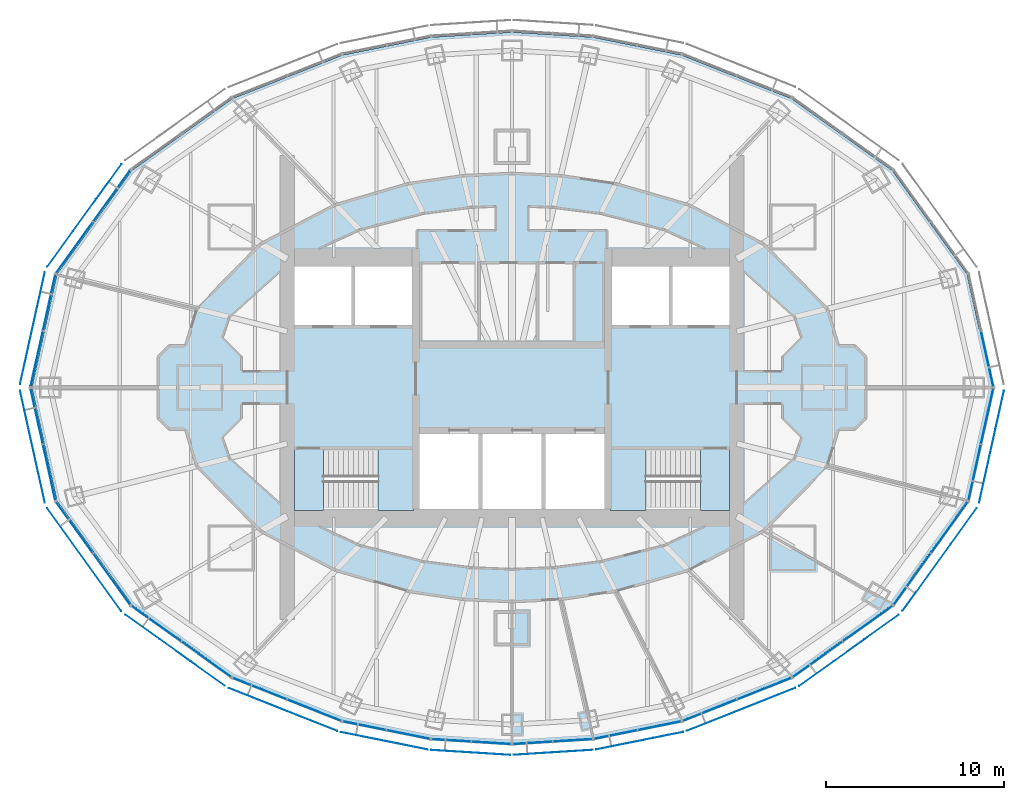
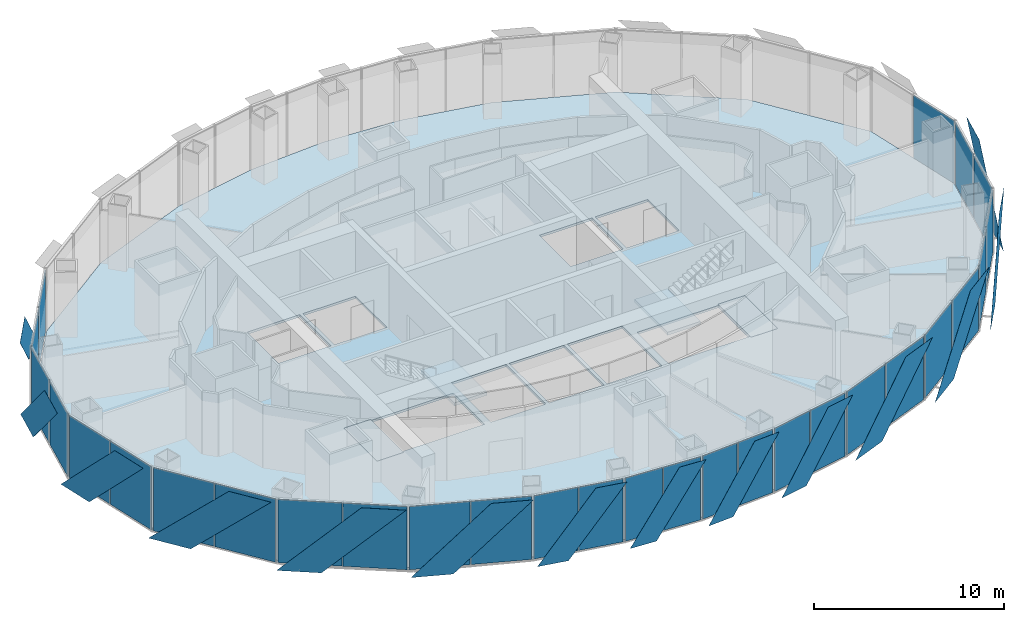
# One storey, part 10 of 17: 43 plates, 5 slabs, 17 elements without a shape of their own.
"""IFC4 building model written with IfcOpenShell, lengths in metres."""

from ifc_helpers import new_model, si_unit, direction, frame, origin, origin_2d, place, context, subcontext, project, spatial, polyline, rectangle, outline, extrude, material, layer, layer_set, type_object, element, aggregate, save


model = new_model("IFC4")

# Units and contexts
model_context = context("Model", 3, precision=1e-05, world=origin(), true_north=direction((0.0, 1.0)))
body_context = subcontext(model_context, "Body", "Model", "MODEL_VIEW")
ifc_project = project(units=[si_unit("LENGTHUNIT", "METRE"), si_unit("AREAUNIT", "SQUARE_METRE"), si_unit("VOLUMEUNIT", "CUBIC_METRE"), si_unit("PLANEANGLEUNIT", "RADIAN"), si_unit("MASSUNIT", "GRAM", prefix="KILO")], contexts=[model_context])

# Site, building, storey
site_placement = place(None, origin())
site = spatial("IfcSite", under=ifc_project, at=site_placement, CompositionType="ELEMENT")
building_placement = place(site_placement, origin())
building = spatial("IfcBuilding", under=site, at=building_placement, Name="Lantaw Convention Tower", CompositionType="ELEMENT")
storey_placement = place(building_placement, frame((0.0, 0.0, 220.0)))
storey = spatial("IfcBuildingStorey", under=building, at=storey_placement, Name="L51", CompositionType="ELEMENT", Elevation=220.0)

# Curtain wall, plate
ifc_material_1 = material(Name="Aluminium framed curtain wall", Category="aluminium")
curtain_wall_type = type_object("IfcCurtainWallType", Name="Office curtain wall high rise, pale aluminium", PredefinedType="USERDEFINED", material=ifc_material_1)
curtain_wall_1_placement = place(storey_placement, origin())
curtain_wall_1 = element("IfcCurtainWall", 1, at=curtain_wall_1_placement, inside=storey, type_object=curtain_wall_type, Name="Office curtain wall high rise, pale aluminium L51", ObjectType="UNITISED CURTAIN WALL", PredefinedType="USERDEFINED")
ifc_material_2 = material(Name="Clear insulating glass", Category="glass")
ifc_layer_1 = layer(ifc_material_2, 0.028076171875)
ifc_layer_set_1 = layer_set([ifc_layer_1], Name="CW-O2 panel 28")
plate_type_1 = type_object("IfcPlateType", Name="CW-O2 panel 28", PredefinedType="CURTAIN_PANEL", material=ifc_layer_set_1)
plate_1_placement = place(storey_placement, frame((26.643798828125, 1.61083984375, -0.0849609375), z_axis=(0.0, 0.0, 1.0), x_axis=(-0.215891333626, 0.976417396437, 0.0)))
plate_1 = element("IfcPlate", 2, at=plate_1_placement, type_object=plate_type_1, Name="CW-O2 panel 1.1", PredefinedType="CURTAIN_PANEL", context=body_context, shape_type="SweptSolid", body=[
    extrude(rectangle(XDim=3.169677734375, YDim=0.028076171875, at=origin_2d()), origin(), (0.0, 0.0, 1.0), 4.070068359375),
])
aggregate(curtain_wall_1, [plate_1])

# Curtain wall, plates
curtain_wall_2_placement = place(storey_placement, origin())
curtain_wall_2 = element("IfcCurtainWall", 3, at=curtain_wall_2_placement, inside=storey, type_object=curtain_wall_type, Name="Office curtain wall high rise, pale aluminium L51", ObjectType="UNITISED CURTAIN WALL", PredefinedType="USERDEFINED")
plate_2_placement = place(storey_placement, frame((-22.4404296875, 10.743896484375, -0.0849609375), z_axis=(0.0, 0.0, 1.0), x_axis=(-0.585157643865, -0.810919559405, 0.0)))
plate_2 = element("IfcPlate", 4, at=plate_2_placement, type_object=plate_type_1, Name="CW-O2 panel 1.1", PredefinedType="CURTAIN_PANEL", context=body_context, shape_type="SweptSolid", body=[
    extrude(rectangle(XDim=3.500732421875, YDim=0.028076171875, at=origin_2d()), origin(), (0.0, 0.0, 1.0), 4.070068359375),
])
plate_3_placement = place(storey_placement, frame((-24.527099609375, 7.852294921875, -0.0849609375), z_axis=(0.0, 0.0, 1.0), x_axis=(-0.585157643865, -0.810919559405, 0.0)))
plate_3 = element("IfcPlate", 5, at=plate_3_placement, type_object=plate_type_1, Name="CW-O2 panel 2.1", PredefinedType="CURTAIN_PANEL", context=body_context, shape_type="SweptSolid", body=[
    extrude(rectangle(XDim=3.500732421875, YDim=0.028076171875, at=origin_2d()), origin(), (0.0, 0.0, 1.0), 4.070068359375),
])
aggregate(curtain_wall_2, [plate_2, plate_3])

curtain_wall_3_placement = place(storey_placement, origin())
curtain_wall_3 = element("IfcCurtainWall", 6, at=curtain_wall_3_placement, inside=storey, type_object=curtain_wall_type, Name="Office curtain wall high rise, pale aluminium L51", ObjectType="UNITISED CURTAIN WALL", PredefinedType="USERDEFINED")
plate_4_placement = place(storey_placement, frame((-25.945556640625, 4.769287109375, -0.0849609375), z_axis=(0.0, 0.0, 1.0), x_axis=(-0.215891333626, -0.976417396437, 0.0)))
plate_4 = element("IfcPlate", 7, at=plate_4_placement, type_object=plate_type_1, Name="CW-O2 panel 1.1", PredefinedType="CURTAIN_PANEL", context=body_context, shape_type="SweptSolid", body=[
    extrude(rectangle(XDim=3.169677734375, YDim=0.028076171875, at=origin_2d()), origin(), (0.0, 0.0, 1.0), 4.070068359375),
])
plate_5_placement = place(storey_placement, frame((-26.643798828125, 1.61083984375, -0.0849609375), z_axis=(0.0, 0.0, 1.0), x_axis=(-0.215891333626, -0.976417396437, 0.0)))
plate_5 = element("IfcPlate", 8, at=plate_5_placement, type_object=plate_type_1, Name="CW-O2 panel 2.1", PredefinedType="CURTAIN_PANEL", context=body_context, shape_type="SweptSolid", body=[
    extrude(rectangle(XDim=3.169677734375, YDim=0.028076171875, at=origin_2d()), origin(), (0.0, 0.0, 1.0), 4.070068359375),
])
aggregate(curtain_wall_3, [plate_4, plate_5])

curtain_wall_4_placement = place(storey_placement, origin())
curtain_wall_4 = element("IfcCurtainWall", 9, at=curtain_wall_4_placement, inside=storey, type_object=curtain_wall_type, Name="Office curtain wall high rise, pale aluminium L51", ObjectType="UNITISED CURTAIN WALL", PredefinedType="USERDEFINED")
plate_6_placement = place(storey_placement, frame((-26.643798828125, -1.61083984375, -0.0849609375), z_axis=(0.0, 0.0, 1.0), x_axis=(0.215891333626, -0.976417396437, 0.0)))
plate_6 = element("IfcPlate", 10, at=plate_6_placement, type_object=plate_type_1, Name="CW-O2 panel 1.1", PredefinedType="CURTAIN_PANEL", context=body_context, shape_type="SweptSolid", body=[
    extrude(rectangle(XDim=3.169677734375, YDim=0.028076171875, at=origin_2d()), origin(), (0.0, 0.0, 1.0), 4.070068359375),
])
plate_7_placement = place(storey_placement, frame((-25.945556640625, -4.769287109375, -0.0849609375), z_axis=(0.0, 0.0, 1.0), x_axis=(0.215891333626, -0.976417396437, 0.0)))
plate_7 = element("IfcPlate", 11, at=plate_7_placement, type_object=plate_type_1, Name="CW-O2 panel 2.1", PredefinedType="CURTAIN_PANEL", context=body_context, shape_type="SweptSolid", body=[
    extrude(rectangle(XDim=3.169677734375, YDim=0.028076171875, at=origin_2d()), origin(), (0.0, 0.0, 1.0), 4.070068359375),
])
aggregate(curtain_wall_4, [plate_6, plate_7])

curtain_wall_5_placement = place(storey_placement, origin())
curtain_wall_5 = element("IfcCurtainWall", 12, at=curtain_wall_5_placement, inside=storey, type_object=curtain_wall_type, Name="Office curtain wall high rise, pale aluminium L51", ObjectType="UNITISED CURTAIN WALL", PredefinedType="USERDEFINED")
plate_8_placement = place(storey_placement, frame((-24.527099609375, -7.852294921875, -0.0849609375), z_axis=(0.0, 0.0, 1.0), x_axis=(0.585157643865, -0.810919559405, 0.0)))
plate_8 = element("IfcPlate", 13, at=plate_8_placement, type_object=plate_type_1, Name="CW-O2 panel 1.1", PredefinedType="CURTAIN_PANEL", context=body_context, shape_type="SweptSolid", body=[
    extrude(rectangle(XDim=3.500732421875, YDim=0.028076171875, at=origin_2d()), origin(), (0.0, 0.0, 1.0), 4.070068359375),
])
plate_9_placement = place(storey_placement, frame((-22.4404296875, -10.743896484375, -0.0849609375), z_axis=(0.0, 0.0, 1.0), x_axis=(0.585157643865, -0.810919559405, 0.0)))
plate_9 = element("IfcPlate", 14, at=plate_9_placement, type_object=plate_type_1, Name="CW-O2 panel 2.1", PredefinedType="CURTAIN_PANEL", context=body_context, shape_type="SweptSolid", body=[
    extrude(rectangle(XDim=3.500732421875, YDim=0.028076171875, at=origin_2d()), origin(), (0.0, 0.0, 1.0), 4.070068359375),
])
aggregate(curtain_wall_5, [plate_8, plate_9])

curtain_wall_6_placement = place(storey_placement, origin())
curtain_wall_6 = element("IfcCurtainWall", 15, at=curtain_wall_6_placement, inside=storey, type_object=curtain_wall_type, Name="Office curtain wall high rise, pale aluminium L51", ObjectType="UNITISED CURTAIN WALL", PredefinedType="USERDEFINED")
plate_10_placement = place(storey_placement, frame((-19.947509765625, -13.23828125, -0.0849609375), z_axis=(0.0, 0.0, 1.0), x_axis=(0.813672540482, -0.581323487281, 0.0)))
plate_10 = element("IfcPlate", 16, at=plate_10_placement, type_object=plate_type_1, Name="CW-O2 panel 1.1", PredefinedType="CURTAIN_PANEL", context=body_context, shape_type="SweptSolid", body=[
    extrude(rectangle(XDim=3.386474609375, YDim=0.028076171875, at=origin_2d()), origin(), (0.0, 0.0, 1.0), 4.070068359375),
])
plate_11_placement = place(storey_placement, frame((-17.13916015625, -15.24462890625, -0.0849609375), z_axis=(0.0, 0.0, 1.0), x_axis=(0.813672540482, -0.581323487281, 0.0)))
plate_11 = element("IfcPlate", 17, at=plate_11_placement, type_object=plate_type_1, Name="CW-O2 panel 2.1", PredefinedType="CURTAIN_PANEL", context=body_context, shape_type="SweptSolid", body=[
    extrude(rectangle(XDim=3.386474609375, YDim=0.028076171875, at=origin_2d()), origin(), (0.0, 0.0, 1.0), 4.070068359375),
])
aggregate(curtain_wall_6, [plate_10, plate_11])

curtain_wall_7_placement = place(storey_placement, origin())
curtain_wall_7 = element("IfcCurtainWall", 18, at=curtain_wall_7_placement, inside=storey, type_object=curtain_wall_type, Name="Office curtain wall high rise, pale aluminium L51", ObjectType="UNITISED CURTAIN WALL", PredefinedType="USERDEFINED")
plate_12_placement = place(storey_placement, frame((-14.14990234375, -16.8837890625, -0.0849609375), z_axis=(0.0, 0.0, 1.0), x_axis=(0.929761533743, -0.368162315252, 0.0)))
plate_12 = element("IfcPlate", 19, at=plate_12_placement, type_object=plate_type_1, Name="CW-O2 panel 1.1", PredefinedType="CURTAIN_PANEL", context=body_context, shape_type="SweptSolid", body=[
    extrude(rectangle(XDim=3.222900390625, YDim=0.028076171875, at=origin_2d()), origin(), (0.0, 0.0, 1.0), 4.070068359375),
])
plate_13_placement = place(storey_placement, frame((-11.0927734375, -18.094482421875, -0.0849609375), z_axis=(0.0, 0.0, 1.0), x_axis=(0.929761533743, -0.368162315252, 0.0)))
plate_13 = element("IfcPlate", 20, at=plate_13_placement, type_object=plate_type_1, Name="CW-O2 panel 2.1", PredefinedType="CURTAIN_PANEL", context=body_context, shape_type="SweptSolid", body=[
    extrude(rectangle(XDim=3.222900390625, YDim=0.028076171875, at=origin_2d()), origin(), (0.0, 0.0, 1.0), 4.070068359375),
])
aggregate(curtain_wall_7, [plate_12, plate_13])

curtain_wall_8_placement = place(storey_placement, origin())
curtain_wall_8 = element("IfcCurtainWall", 21, at=curtain_wall_8_placement, inside=storey, type_object=curtain_wall_type, Name="Office curtain wall high rise, pale aluminium L51", ObjectType="UNITISED CURTAIN WALL", PredefinedType="USERDEFINED")
plate_14_placement = place(storey_placement, frame((-8.2724609375, -18.96533203125, -0.0849609375), z_axis=(0.0, 0.0, 1.0), x_axis=(0.980366679695, -0.197183095987, 0.0)))
plate_14 = element("IfcPlate", 22, at=plate_14_placement, type_object=plate_type_1, Name="CW-O2 panel 1.1", PredefinedType="CURTAIN_PANEL", context=body_context, shape_type="SweptSolid", body=[
    extrude(rectangle(XDim=2.44384765625, YDim=0.028076171875, at=origin_2d()), origin(), (0.0, 0.0, 1.0), 4.070068359375),
])
plate_15_placement = place(storey_placement, frame((-5.81298828125, -19.4599609375, -0.0849609375), z_axis=(0.0, 0.0, 1.0), x_axis=(0.980366679695, -0.197183095987, 0.0)))
plate_15 = element("IfcPlate", 23, at=plate_15_placement, type_object=plate_type_1, Name="CW-O2 panel 2.1", PredefinedType="CURTAIN_PANEL", context=body_context, shape_type="SweptSolid", body=[
    extrude(rectangle(XDim=2.44384765625, YDim=0.028076171875, at=origin_2d()), origin(), (0.0, 0.0, 1.0), 4.070068359375),
])
aggregate(curtain_wall_8, [plate_14, plate_15])

curtain_wall_9_placement = place(storey_placement, origin())
curtain_wall_9 = element("IfcCurtainWall", 24, at=curtain_wall_9_placement, inside=storey, type_object=curtain_wall_type, Name="Office curtain wall high rise, pale aluminium L51", ObjectType="UNITISED CURTAIN WALL", PredefinedType="USERDEFINED")
plate_16_placement = place(storey_placement, frame((-3.397216796875, -19.786376953125, -0.0849609375), z_axis=(0.0, 0.0, 1.0), x_axis=(0.998028774865, -0.062757983884, 0.0)))
plate_16 = element("IfcPlate", 25, at=plate_16_placement, type_object=plate_type_1, Name="CW-O2 panel 1.1", PredefinedType="CURTAIN_PANEL", context=body_context, shape_type="SweptSolid", body=[
    extrude(rectangle(XDim=2.1826171875, YDim=0.028076171875, at=origin_2d()), origin(), (0.0, 0.0, 1.0), 4.070068359375),
])
plate_17_placement = place(storey_placement, frame((-1.154052734375, -19.927490234375, -0.0849609375), z_axis=(0.0, 0.0, 1.0), x_axis=(0.998028774865, -0.062757983884, 0.0)))
plate_17 = element("IfcPlate", 26, at=plate_17_placement, type_object=plate_type_1, Name="CW-O2 panel 2.1", PredefinedType="CURTAIN_PANEL", context=body_context, shape_type="SweptSolid", body=[
    extrude(rectangle(XDim=2.1826171875, YDim=0.028076171875, at=origin_2d()), origin(), (0.0, 0.0, 1.0), 4.070068359375),
])
aggregate(curtain_wall_9, [plate_16, plate_17])

curtain_wall_10_placement = place(storey_placement, origin())
curtain_wall_10 = element("IfcCurtainWall", 27, at=curtain_wall_10_placement, inside=storey, type_object=curtain_wall_type, Name="Office curtain wall high rise, pale aluminium L51", ObjectType="UNITISED CURTAIN WALL", PredefinedType="USERDEFINED")
plate_18_placement = place(storey_placement, frame((1.154052734375, -19.927490234375, -0.0849609375), z_axis=(0.0, 0.0, 1.0), x_axis=(0.998028774865, 0.062757983884, 0.0)))
plate_18 = element("IfcPlate", 28, at=plate_18_placement, type_object=plate_type_1, Name="CW-O2 panel 1.1", PredefinedType="CURTAIN_PANEL", context=body_context, shape_type="SweptSolid", body=[
    extrude(rectangle(XDim=2.1826171875, YDim=0.028076171875, at=origin_2d()), origin(), (0.0, 0.0, 1.0), 4.070068359375),
])
plate_19_placement = place(storey_placement, frame((3.397216796875, -19.786376953125, -0.0849609375), z_axis=(0.0, 0.0, 1.0), x_axis=(0.998028774865, 0.062757983884, 0.0)))
plate_19 = element("IfcPlate", 29, at=plate_19_placement, type_object=plate_type_1, Name="CW-O2 panel 2.1", PredefinedType="CURTAIN_PANEL", context=body_context, shape_type="SweptSolid", body=[
    extrude(rectangle(XDim=2.1826171875, YDim=0.028076171875, at=origin_2d()), origin(), (0.0, 0.0, 1.0), 4.070068359375),
])
aggregate(curtain_wall_10, [plate_18, plate_19])

curtain_wall_11_placement = place(storey_placement, origin())
curtain_wall_11 = element("IfcCurtainWall", 30, at=curtain_wall_11_placement, inside=storey, type_object=curtain_wall_type, Name="Office curtain wall high rise, pale aluminium L51", ObjectType="UNITISED CURTAIN WALL", PredefinedType="USERDEFINED")
plate_20_placement = place(storey_placement, frame((5.81298828125, -19.4599609375, -0.0849609375), z_axis=(0.0, 0.0, 1.0), x_axis=(0.980366679695, 0.197183095987, 0.0)))
plate_20 = element("IfcPlate", 31, at=plate_20_placement, type_object=plate_type_1, Name="CW-O2 panel 1.1", PredefinedType="CURTAIN_PANEL", context=body_context, shape_type="SweptSolid", body=[
    extrude(rectangle(XDim=2.44384765625, YDim=0.028076171875, at=origin_2d()), origin(), (0.0, 0.0, 1.0), 4.070068359375),
])
plate_21_placement = place(storey_placement, frame((8.2724609375, -18.96533203125, -0.0849609375), z_axis=(0.0, 0.0, 1.0), x_axis=(0.980366679695, 0.197183095987, 0.0)))
plate_21 = element("IfcPlate", 32, at=plate_21_placement, type_object=plate_type_1, Name="CW-O2 panel 2.1", PredefinedType="CURTAIN_PANEL", context=body_context, shape_type="SweptSolid", body=[
    extrude(rectangle(XDim=2.44384765625, YDim=0.028076171875, at=origin_2d()), origin(), (0.0, 0.0, 1.0), 4.070068359375),
])
aggregate(curtain_wall_11, [plate_20, plate_21])

curtain_wall_12_placement = place(storey_placement, origin())
curtain_wall_12 = element("IfcCurtainWall", 33, at=curtain_wall_12_placement, inside=storey, type_object=curtain_wall_type, Name="Office curtain wall high rise, pale aluminium L51", ObjectType="UNITISED CURTAIN WALL", PredefinedType="USERDEFINED")
plate_22_placement = place(storey_placement, frame((11.0927734375, -18.094482421875, -0.0849609375), z_axis=(0.0, 0.0, 1.0), x_axis=(0.929761533743, 0.368162315252, 0.0)))
plate_22 = element("IfcPlate", 34, at=plate_22_placement, type_object=plate_type_1, Name="CW-O2 panel 1.1", PredefinedType="CURTAIN_PANEL", context=body_context, shape_type="SweptSolid", body=[
    extrude(rectangle(XDim=3.222900390625, YDim=0.028076171875, at=origin_2d()), origin(), (0.0, 0.0, 1.0), 4.070068359375),
])
plate_23_placement = place(storey_placement, frame((14.14990234375, -16.8837890625, -0.0849609375), z_axis=(0.0, 0.0, 1.0), x_axis=(0.929761533743, 0.368162315252, 0.0)))
plate_23 = element("IfcPlate", 35, at=plate_23_placement, type_object=plate_type_1, Name="CW-O2 panel 2.1", PredefinedType="CURTAIN_PANEL", context=body_context, shape_type="SweptSolid", body=[
    extrude(rectangle(XDim=3.222900390625, YDim=0.028076171875, at=origin_2d()), origin(), (0.0, 0.0, 1.0), 4.070068359375),
])
aggregate(curtain_wall_12, [plate_22, plate_23])

curtain_wall_13_placement = place(storey_placement, origin())
curtain_wall_13 = element("IfcCurtainWall", 36, at=curtain_wall_13_placement, inside=storey, type_object=curtain_wall_type, Name="Office curtain wall high rise, pale aluminium L51", ObjectType="UNITISED CURTAIN WALL", PredefinedType="USERDEFINED")
plate_24_placement = place(storey_placement, frame((17.13916015625, -15.24462890625, -0.0849609375), z_axis=(0.0, 0.0, 1.0), x_axis=(0.813672540482, 0.581323487281, 0.0)))
plate_24 = element("IfcPlate", 37, at=plate_24_placement, type_object=plate_type_1, Name="CW-O2 panel 1.1", PredefinedType="CURTAIN_PANEL", context=body_context, shape_type="SweptSolid", body=[
    extrude(rectangle(XDim=3.386474609375, YDim=0.028076171875, at=origin_2d()), origin(), (0.0, 0.0, 1.0), 4.070068359375),
])
plate_25_placement = place(storey_placement, frame((19.947509765625, -13.23828125, -0.0849609375), z_axis=(0.0, 0.0, 1.0), x_axis=(0.813672540482, 0.581323487281, 0.0)))
plate_25 = element("IfcPlate", 38, at=plate_25_placement, type_object=plate_type_1, Name="CW-O2 panel 2.1", PredefinedType="CURTAIN_PANEL", context=body_context, shape_type="SweptSolid", body=[
    extrude(rectangle(XDim=3.386474609375, YDim=0.028076171875, at=origin_2d()), origin(), (0.0, 0.0, 1.0), 4.070068359375),
])
aggregate(curtain_wall_13, [plate_24, plate_25])

curtain_wall_14_placement = place(storey_placement, origin())
curtain_wall_14 = element("IfcCurtainWall", 39, at=curtain_wall_14_placement, inside=storey, type_object=curtain_wall_type, Name="Office curtain wall high rise, pale aluminium L51", ObjectType="UNITISED CURTAIN WALL", PredefinedType="USERDEFINED")
plate_26_placement = place(storey_placement, frame((22.4404296875, -10.743896484375, -0.0849609375), z_axis=(0.0, 0.0, 1.0), x_axis=(0.585157643865, 0.810919559405, 0.0)))
plate_26 = element("IfcPlate", 40, at=plate_26_placement, type_object=plate_type_1, Name="CW-O2 panel 1.1", PredefinedType="CURTAIN_PANEL", context=body_context, shape_type="SweptSolid", body=[
    extrude(rectangle(XDim=3.500732421875, YDim=0.028076171875, at=origin_2d()), origin(), (0.0, 0.0, 1.0), 4.070068359375),
])
plate_27_placement = place(storey_placement, frame((24.527099609375, -7.852294921875, -0.0849609375), z_axis=(0.0, 0.0, 1.0), x_axis=(0.585157643865, 0.810919559405, 0.0)))
plate_27 = element("IfcPlate", 41, at=plate_27_placement, type_object=plate_type_1, Name="CW-O2 panel 2.1", PredefinedType="CURTAIN_PANEL", context=body_context, shape_type="SweptSolid", body=[
    extrude(rectangle(XDim=3.500732421875, YDim=0.028076171875, at=origin_2d()), origin(), (0.0, 0.0, 1.0), 4.070068359375),
])
aggregate(curtain_wall_14, [plate_26, plate_27])

curtain_wall_15_placement = place(storey_placement, origin())
curtain_wall_15 = element("IfcCurtainWall", 42, at=curtain_wall_15_placement, inside=storey, type_object=curtain_wall_type, Name="Office curtain wall high rise, pale aluminium L51", ObjectType="UNITISED CURTAIN WALL", PredefinedType="USERDEFINED")
plate_28_placement = place(storey_placement, frame((25.945556640625, -4.769287109375, -0.0849609375), z_axis=(0.0, 0.0, 1.0), x_axis=(0.215891333626, 0.976417396437, 0.0)))
plate_28 = element("IfcPlate", 43, at=plate_28_placement, type_object=plate_type_1, Name="CW-O2 panel 1.1", PredefinedType="CURTAIN_PANEL", context=body_context, shape_type="SweptSolid", body=[
    extrude(rectangle(XDim=3.169677734375, YDim=0.028076171875, at=origin_2d()), origin(), (0.0, 0.0, 1.0), 4.070068359375),
])
plate_29_placement = place(storey_placement, frame((26.643798828125, -1.61083984375, -0.0849609375), z_axis=(0.0, 0.0, 1.0), x_axis=(0.215891333626, 0.976417396437, 0.0)))
plate_29 = element("IfcPlate", 44, at=plate_29_placement, type_object=plate_type_1, Name="CW-O2 panel 2.1", PredefinedType="CURTAIN_PANEL", context=body_context, shape_type="SweptSolid", body=[
    extrude(rectangle(XDim=3.169677734375, YDim=0.028076171875, at=origin_2d()), origin(), (0.0, 0.0, 1.0), 4.070068359375),
])
aggregate(curtain_wall_15, [plate_28, plate_29])

# Slab
ifc_material_3 = material(Name="Concrete C35/45", Category="concrete")
ifc_layer_2 = layer(ifc_material_3, 0.14990234375)
ifc_layer_set_2 = layer_set([ifc_layer_2], Name="Floor slab 150")
slab_type_1 = type_object("IfcSlabType", Name="Floor slab 150", PredefinedType="FLOOR", material=ifc_layer_set_2)
slab_1_placement = place(storey_placement, frame((0.0, 0.0, -0.14990234375)))
element("IfcSlab", 45, at=slab_1_placement, inside=storey, type_object=slab_type_1, Name="L51 floor slab", PredefinedType="FLOOR", context=body_context, shape_type="SweptSolid", body=[
    extrude(outline(polyline([(25.51953125, -6.348876953125), (26.923095703125, 0.0), (25.51953125, 6.348876953125), (21.324462890625, 12.162109375), (15.67236328125, 16.2001953125), (9.5126953125, 18.639404296875), (4.54150390625, 19.63916015625), (0.0, 19.9248046875), (-4.54150390625, 19.63916015625), (-9.5126953125, 18.639404296875), (-15.67236328125, 16.2001953125), (-21.324462890625, 12.162109375), (-25.51953125, 6.348876953125), (-26.923095703125, 0.0), (-25.51953125, -6.348876953125), (-21.324462890625, -12.162109375), (-15.67236328125, -16.2001953125), (-9.5126953125, -18.639404296875), (-4.54150390625, -19.63916015625), (0.0, -19.9248046875), (4.54150390625, -19.63916015625), (9.5126953125, -18.639404296875), (15.67236328125, -16.2001953125), (21.324462890625, -12.162109375), (25.51953125, -6.348876953125)]), holes=[polyline([(-5.60009765625, -3.5), (-12.199951171875, -3.5), (-12.199951171875, -6.800048828125), (-5.60009765625, -6.800048828125), (-5.60009765625, -3.5)]), polyline([(12.199951171875, -3.5), (5.60009765625, -3.5), (5.60009765625, -6.800048828125), (12.199951171875, -6.800048828125), (12.199951171875, -3.5)]), polyline([(-1.86669921875, -2.60009765625), (-5.199951171875, -2.60009765625), (-5.199951171875, -6.800048828125), (-1.86669921875, -6.800048828125), (-1.86669921875, -2.60009765625)]), polyline([(1.666748046875, -2.60009765625), (-1.666748046875, -2.60009765625), (-1.666748046875, -6.800048828125), (1.666748046875, -6.800048828125), (1.666748046875, -2.60009765625)]), polyline([(5.199951171875, -2.60009765625), (1.86669921875, -2.60009765625), (1.86669921875, -6.800048828125), (5.199951171875, -6.800048828125), (5.199951171875, -2.60009765625)]), polyline([(-9.0, 6.800048828125), (-12.199951171875, 6.800048828125), (-12.199951171875, 3.5), (-9.0, 3.5), (-9.0, 6.800048828125)]), polyline([(-5.60009765625, 6.800048828125), (-8.800048828125, 6.800048828125), (-8.800048828125, 3.5), (-5.60009765625, 3.5), (-5.60009765625, 6.800048828125)]), polyline([(8.800048828125, 3.5), (8.800048828125, 6.800048828125), (5.60009765625, 6.800048828125), (5.60009765625, 3.5), (8.800048828125, 3.5)]), polyline([(12.199951171875, 3.5), (12.199951171875, 6.800048828125), (9.0, 6.800048828125), (9.0, 3.5), (12.199951171875, 3.5)])]), origin(), (0.0, 0.0, 1.0), 0.14990234375),
])

# Plates
ifc_material_4 = material(Name="Perforated aluminium sheet, pale silver finish", Category="aluminium")
ifc_layer_3 = layer(ifc_material_4, 0.006103515625)
ifc_layer_set_3 = layer_set([ifc_layer_3], Name="Perforated aluminium solar SCREEN panel")
plate_type_2 = type_object("IfcPlateType", Name="Perforated aluminium solar SCREEN panel", PredefinedType="SHEET", material=ifc_layer_set_3)
plate_30_placement = place(storey_placement, frame((-21.898681640625, 12.530029296875, -0.175048828125), z_axis=(-0.810892289695, 0.585195432394, 2.0458414e-05), x_axis=(-0.585195432516, -0.810892289865, 0.0)))
element("IfcPlate", 46, at=plate_30_placement, inside=storey, type_object=plate_type_2, Name="Solar SCREEN panel", PredefinedType="SHEET", context=body_context, shape_type="SweptSolid", body=[
    extrude(outline(polyline([(0.0, 0.0), (2.446848840683286, -6.776263578034403e-21), (7.09661046667572, 4.340087891533265), (4.649761625992435, 4.340087891533265), (0.0, 0.0)])), origin(), (0.0, 0.0, -1.0), 0.006103515625),
])
plate_31_placement = place(storey_placement, frame((-26.19189453125, 6.462158203125, -0.175048828125), z_axis=(0.976429511424, -0.215836529031, 4.4219438e-05), x_axis=(-0.215836529242, -0.976429512379, 0.0)))
element("IfcPlate", 47, at=plate_31_placement, inside=storey, type_object=plate_type_2, Name="Solar SCREEN panel", PredefinedType="SHEET", context=body_context, shape_type="SweptSolid", body=[
    extrude(outline(polyline([(0.0, 0.0), (2.2215525295212517, 3.3881317890172014e-21), (6.4341686174090675, -4.340087894868215), (4.212616087887817, -4.340087894868215), (0.0, 0.0)])), origin(), (0.0, 0.0, -1.0), 0.006103515625),
])
plate_32_placement = place(storey_placement, frame((-27.580810546875, -0.1796875, -0.175048828125), z_axis=(-0.976429511424, -0.215836529031, 4.4219438e-05), x_axis=(0.215836529242, -0.976429512379, 0.0)))
element("IfcPlate", 48, at=plate_32_placement, inside=storey, type_object=plate_type_2, Name="Solar SCREEN panel", PredefinedType="SHEET", context=body_context, shape_type="SweptSolid", body=[
    extrude(outline(polyline([(0.0, 0.0), (2.2215525295212517, -3.3881317890172014e-21), (6.4341686174090675, 4.340087894868215), (4.212616087887817, 4.340087894868215), (0.0, 0.0)])), origin(), (0.0, 0.0, -1.0), 0.006103515625),
])
plate_33_placement = place(storey_placement, frame((-26.051513671875, -6.775390625, -0.175048828125), z_axis=(0.810892289695, 0.585195432394, 2.0458414e-05), x_axis=(0.585195432516, -0.810892289865, 0.0)))
element("IfcPlate", 49, at=plate_33_placement, inside=storey, type_object=plate_type_2, Name="Solar SCREEN panel", PredefinedType="SHEET", context=body_context, shape_type="SweptSolid", body=[
    extrude(outline(polyline([(0.0, 0.0), (2.446848840683286, 6.776263578034403e-21), (7.09661046667572, -4.340087891533265), (4.649761625992435, -4.340087891533265), (0.0, 0.0)])), origin(), (0.0, 0.0, -1.0), 0.006103515625),
])
plate_34_placement = place(storey_placement, frame((-21.689697265625, -12.73828125, -0.175048828125), z_axis=(-0.581330799771, -0.813667316006, 1.0072414e-05), x_axis=(0.813667316047, -0.5813307998, 3.02e-10)))
element("IfcPlate", 50, at=plate_34_placement, inside=storey, type_object=plate_type_2, Name="Solar SCREEN panel", PredefinedType="SHEET", context=body_context, shape_type="SweptSolid", body=[
    extrude(outline(polyline([(0.0, 0.0), (2.3691416428668504, 0.0), (6.867806096558412, 4.34008788877314), (4.498863102938644, 4.340087890202622), (0.0, 0.0)])), origin(), (0.0, 0.0, -1.0), 0.006103515625),
])
plate_35_placement = place(storey_placement, frame((-15.88525390625, -16.8486328125, -0.175048828125), z_axis=(0.368116612072, 0.929779629081, 3.5533269e-05), x_axis=(0.929779629668, -0.368116612304, -1.786e-09)))
element("IfcPlate", 51, at=plate_35_placement, inside=storey, type_object=plate_type_2, Name="Solar SCREEN panel", PredefinedType="SHEET", context=body_context, shape_type="SweptSolid", body=[
    extrude(outline(polyline([(0.0, 0.0), (2.2578720663572183, -3.3881317890172014e-21), (6.540904465438181, -4.340087905048178), (4.282942526861161, -4.340087896982072), (0.0, 0.0)])), origin(), (0.0, 0.0, -1.0), 0.006103515625),
])
plate_36_placement = place(storey_placement, frame((-9.6044921875, -19.315673828125, -0.175048828125), z_axis=(0.197162069853, 0.980370908428, 1.0904083e-05), x_axis=(0.980370908486, -0.197162069865, -7.55e-10)))
element("IfcPlate", 52, at=plate_36_placement, inside=storey, type_object=plate_type_2, Name="Solar SCREEN panel", PredefinedType="SHEET", context=body_context, shape_type="SweptSolid", body=[
    extrude(outline(polyline([(0.0, 0.0), (1.7279870169553606, 8.470329472543003e-22), (4.982578440602753, -4.340087894645749), (3.2545432883764285, -4.340087892035838), (0.0, 0.0)])), origin(), (0.0, 0.0, -1.0), 0.006103515625),
])
plate_37_placement = place(storey_placement, frame((-4.539306640625, -20.32177734375, -0.175048828125), z_axis=(0.062672387577, 0.998034151922, 5.858668e-05), x_axis=(0.998034153635, -0.062672387685, 0.0)))
element("IfcPlate", 53, at=plate_37_placement, inside=storey, type_object=plate_type_2, Name="Solar SCREEN panel", PredefinedType="SHEET", context=body_context, shape_type="SweptSolid", body=[
    extrude(outline(polyline([(0.0, 0.0), (1.5504111513762302, 8.470329472543003e-22), (4.460200019412434, -4.340087898073457), (2.9097888680362036, -4.340087898073457), (0.0, 0.0)])), origin(), (0.0, 0.0, -1.0), 0.006103515625),
])
plate_38_placement = place(storey_placement, frame((0.087890625, -20.6015625, -0.175048828125), z_axis=(0.062672387577, -0.998034151922, 5.858668e-05), x_axis=(0.998034153635, 0.062672387685, 0.0)))
element("IfcPlate", 54, at=plate_38_placement, inside=storey, type_object=plate_type_2, Name="Solar SCREEN panel", PredefinedType="SHEET", context=body_context, shape_type="SweptSolid", body=[
    extrude(outline(polyline([(0.0, 0.0), (1.5504111513762302, -8.470329472543003e-22), (4.460200019412434, 4.340087898073457), (2.9097888680362036, 4.340087898073457), (0.0, 0.0)])), origin(), (0.0, 0.0, -1.0), 0.006103515625),
])
plate_39_placement = place(storey_placement, frame((4.7197265625, -20.298095703125, -0.175048828125), z_axis=(0.197162069853, -0.980370908428, 1.0904083e-05), x_axis=(0.980370908486, 0.197162069865, 7.55e-10)))
element("IfcPlate", 55, at=plate_39_placement, inside=storey, type_object=plate_type_2, Name="Solar SCREEN panel", PredefinedType="SHEET", context=body_context, shape_type="SweptSolid", body=[
    extrude(outline(polyline([(0.0, 0.0), (1.7280351522263238, 4.235164736271502e-22), (4.982578447157737, 4.34008788712039), (3.2545914302023755, 4.340087889730228), (0.0, 0.0)])), origin(), (0.0, 0.0, -1.0), 0.006103515625),
])
plate_40_placement = place(storey_placement, frame((9.8037109375, -19.256591796875, -0.175048828125), z_axis=(0.368116612072, -0.929779629081, 3.5533269e-05), x_axis=(0.929779629668, 0.368116612304, 1.786e-09)))
element("IfcPlate", 56, at=plate_40_placement, inside=storey, type_object=plate_type_2, Name="Solar SCREEN panel", PredefinedType="SHEET", context=body_context, shape_type="SweptSolid", body=[
    extrude(outline(polyline([(0.0, 0.0), (2.257961938577019, 0.0), (6.540904480942253, 4.34008788168214), (4.283032414585035, 4.340087889747925), (0.0, 0.0)])), origin(), (0.0, 0.0, -1.0), 0.006103515625),
])
plate_41_placement = place(storey_placement, frame((16.1015625, -16.730712890625, -0.175048828125), z_axis=(-0.581330799771, 0.813667316006, 1.0072414e-05), x_axis=(0.813667316047, 0.5813307998, -3.02e-10)))
element("IfcPlate", 57, at=plate_41_placement, inside=storey, type_object=plate_type_2, Name="Solar SCREEN panel", PredefinedType="SHEET", context=body_context, shape_type="SweptSolid", body=[
    extrude(outline(polyline([(0.0, 0.0), (2.3689429936197683, -1.6940658945086007e-21), (6.867806093939489, -4.340087892917353), (4.498664451072639, -4.340087891487751), (0.0, 0.0)])), origin(), (0.0, 0.0, -1.0), 0.006103515625),
])
plate_42_placement = place(storey_placement, frame((21.898681640625, -12.530029296875, -0.175048828125), z_axis=(0.810892289695, -0.585195432394, 2.0458414e-05), x_axis=(0.585195432516, 0.810892289865, 0.0)))
element("IfcPlate", 58, at=plate_42_placement, inside=storey, type_object=plate_type_2, Name="Solar SCREEN panel", PredefinedType="SHEET", context=body_context, shape_type="SweptSolid", body=[
    extrude(outline(polyline([(0.0, 0.0), (2.446848840683286, -6.776263578034403e-21), (7.09661046667572, 4.340087891533265), (4.649761625992435, 4.340087891533265), (0.0, 0.0)])), origin(), (0.0, 0.0, -1.0), 0.006103515625),
])
plate_43_placement = place(storey_placement, frame((26.19189453125, -6.462158203125, -0.175048828125), z_axis=(-0.976429511424, 0.215836529031, 4.4219438e-05), x_axis=(0.215836529242, 0.976429512379, 0.0)))
element("IfcPlate", 59, at=plate_43_placement, inside=storey, type_object=plate_type_2, Name="Solar SCREEN panel", PredefinedType="SHEET", context=body_context, shape_type="SweptSolid", body=[
    extrude(outline(polyline([(0.0, 0.0), (2.2215525295212517, 3.3881317890172014e-21), (6.4341686174090675, -4.340087894868215), (4.212616087887817, -4.340087894868215), (0.0, 0.0)])), origin(), (0.0, 0.0, -1.0), 0.006103515625),
])

# Stair, slabs
stair_type = type_object("IfcStairType", Name="Exit stair 1500 riser 175 in 2 flights", PredefinedType="HALF_TURN_STAIR", material=ifc_material_3)
stair_1_placement = place(storey_placement, origin())
stair_1 = element("IfcStair", 60, at=stair_1_placement, inside=storey, type_object=stair_type, Name="Exit stair S1 L51", PredefinedType="HALF_TURN_STAIR")
ifc_layer_4 = layer(ifc_material_3, 0.199951171875)
ifc_layer_set_4 = layer_set([ifc_layer_4], Name="Stair landing 200")
slab_type_2 = type_object("IfcSlabType", Name="Stair landing 200", PredefinedType="LANDING", material=ifc_layer_set_4)
slab_2_placement = place(storey_placement, frame((0.0, 0.0, -0.199951171875)))
slab_2 = element("IfcSlab", 61, at=slab_2_placement, type_object=slab_type_2, Name="S1 landing 1", PredefinedType="LANDING", context=body_context, shape_type="SweptSolid", body=[
    extrude(outline(polyline([(-12.199951171875, -6.89990234375), (-10.580078125, -6.89990234375), (-10.580078125, -3.39990234375), (-12.199951171875, -3.39990234375), (-12.199951171875, -6.89990234375)])), origin(), (0.0, 0.0, 1.0), 0.199951171875),
])
slab_3_placement = place(storey_placement, frame((0.0, 0.0, 1.89990234375)))
slab_3 = element("IfcSlab", 62, at=slab_3_placement, type_object=slab_type_2, Name="S1 landing 2", PredefinedType="LANDING", context=body_context, shape_type="SweptSolid", body=[
    extrude(outline(polyline([(-7.5, -6.89990234375), (-5.5, -6.89990234375), (-5.5, -3.39990234375), (-7.5, -3.39990234375), (-7.5, -6.89990234375)])), origin(), (0.0, 0.0, 1.0), 0.2001953125),
])
aggregate(stair_1, [slab_2, slab_3])

stair_2_placement = place(storey_placement, origin())
stair_2 = element("IfcStair", 63, at=stair_2_placement, inside=storey, type_object=stair_type, Name="Exit stair S2 L51", PredefinedType="HALF_TURN_STAIR")
slab_4_placement = place(storey_placement, frame((0.0, 0.0, -0.199951171875)))
slab_4 = element("IfcSlab", 64, at=slab_4_placement, type_object=slab_type_2, Name="S2 landing 1", PredefinedType="LANDING", context=body_context, shape_type="SweptSolid", body=[
    extrude(outline(polyline([(10.580078125, -6.89990234375), (12.199951171875, -6.89990234375), (12.199951171875, -3.39990234375), (10.580078125, -3.39990234375), (10.580078125, -6.89990234375)])), origin(), (0.0, 0.0, 1.0), 0.199951171875),
])
slab_5_placement = place(storey_placement, frame((0.0, 0.0, 1.89990234375)))
slab_5 = element("IfcSlab", 65, at=slab_5_placement, type_object=slab_type_2, Name="S2 landing 2", PredefinedType="LANDING", context=body_context, shape_type="SweptSolid", body=[
    extrude(outline(polyline([(5.5, -6.89990234375), (7.5, -6.89990234375), (7.5, -3.39990234375), (5.5, -3.39990234375), (5.5, -6.89990234375)])), origin(), (0.0, 0.0, 1.0), 0.2001953125),
])
aggregate(stair_2, [slab_4, slab_5])

save(model, "model.ifc")
